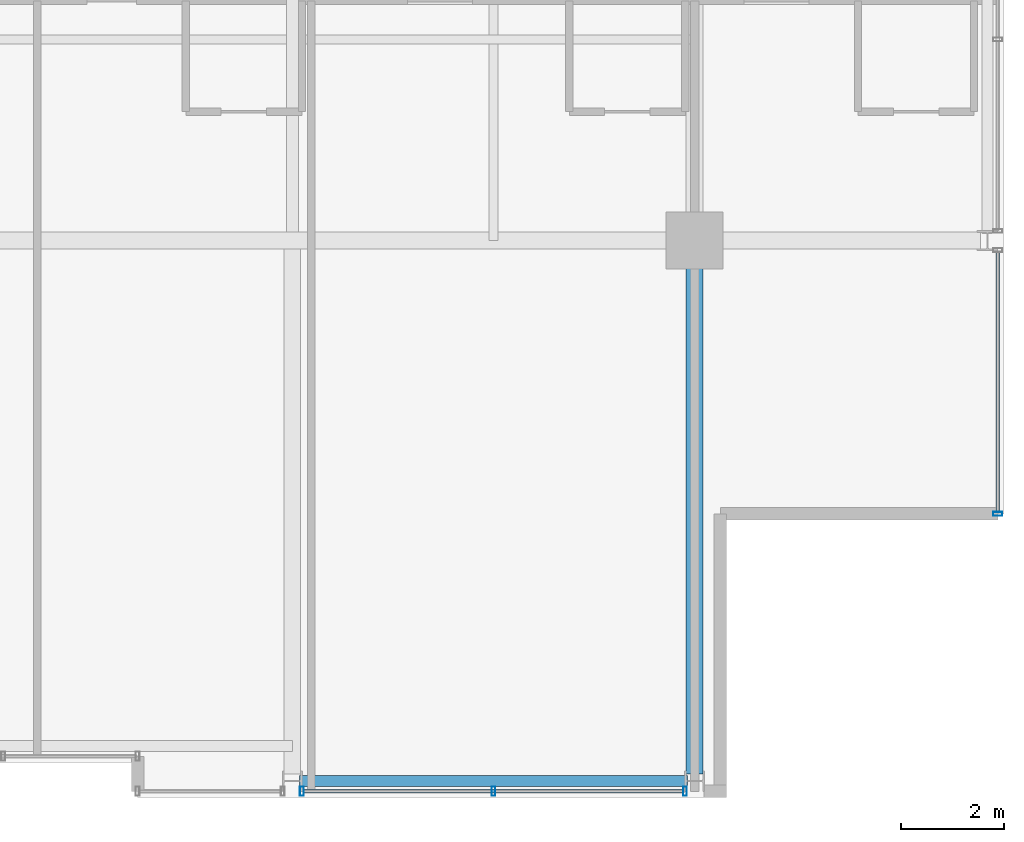
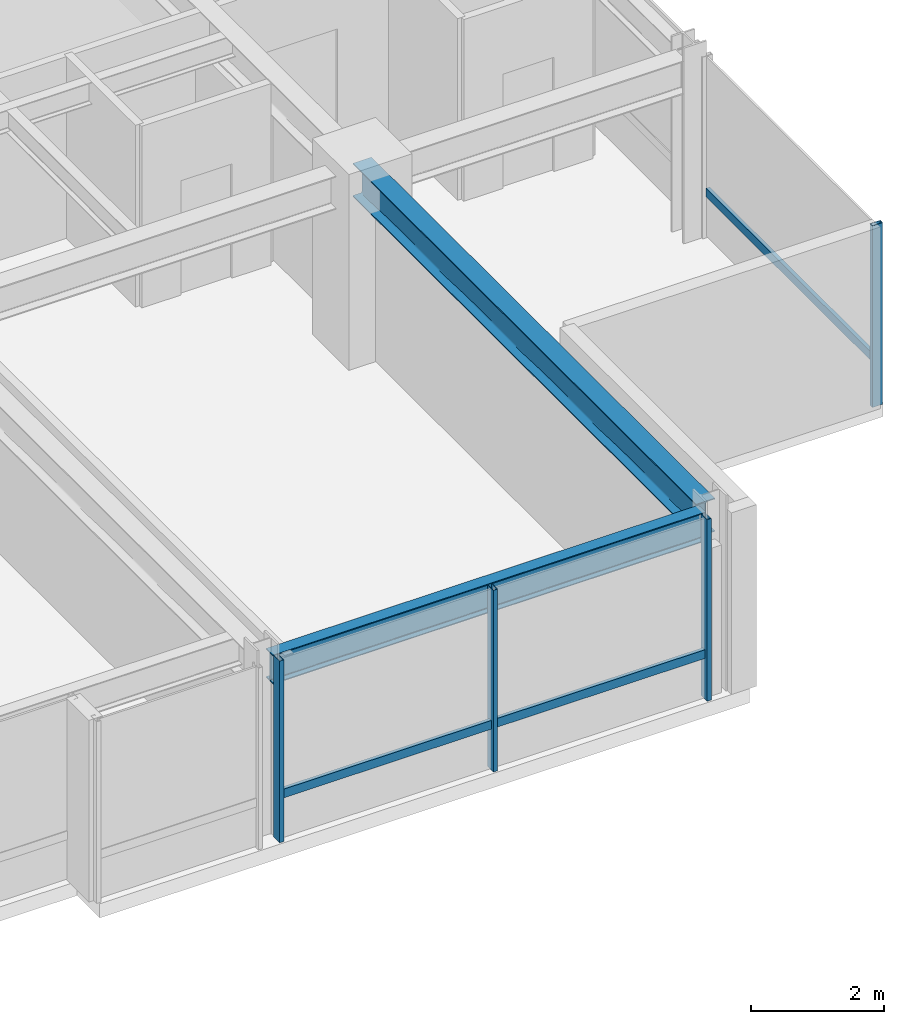
# One storey, part 12 of 31: 6 members, 2 beams, 2 elements without a shape of their own.
"""IFC4 building model written with IfcOpenShell, lengths in metres."""

from ifc_helpers import new_model, si_unit, direction, frame, origin, origin_2d, place, context, subcontext, project, spatial, hollow_rectangle, i_section, extrude, material, layer, layer_set, material_profile, profile_set, type_object, element, aggregate, save


model = new_model("IFC4")

# Units and contexts
model_context = context("Model", 3, precision=1e-05, world=origin(), true_north=direction((0.0, 1.0)))
body_context = subcontext(model_context, "Body", "Model", "MODEL_VIEW")
ifc_project = project(units=[si_unit("LENGTHUNIT", "METRE"), si_unit("AREAUNIT", "SQUARE_METRE"), si_unit("VOLUMEUNIT", "CUBIC_METRE"), si_unit("PLANEANGLEUNIT", "RADIAN"), si_unit("MASSUNIT", "GRAM", prefix="KILO")], contexts=[model_context])

# Site, building, storey
site_placement = place(None, origin())
site = spatial("IfcSite", under=ifc_project, at=site_placement, CompositionType="ELEMENT")
building_placement = place(site_placement, origin())
building = spatial("IfcBuilding", under=site, at=building_placement, Name="Drelvath Grand Hotel", CompositionType="ELEMENT")
storey_placement = place(building_placement, frame((0.0, 0.0, 230.300048828125)))
storey = spatial("IfcBuildingStorey", under=building, at=storey_placement, Name="L60", CompositionType="ELEMENT", Elevation=230.300048828125)

# Curtain wall, member
ifc_material_1 = material(Name="Platinum-Mist Anodised Aluminium Frame", Category="aluminium")
ifc_layer = layer(ifc_material_1, 0.199951171875)
ifc_layer_set = layer_set([ifc_layer], Name="Platinum-Mist Anodised Aluminium Frame")
curtain_wall_type = type_object("IfcCurtainWallType", Name="Stick Curtain Wall CW-05 Platinum Mist High-Rise", PredefinedType="NOTDEFINED", material=ifc_layer_set)
curtain_wall_1_placement = place(storey_placement, origin())
curtain_wall_1 = element("IfcCurtainWall", 1, at=curtain_wall_1_placement, inside=storey, type_object=curtain_wall_type, Name="L60 CW-05 Curtain Wall CW05-L60-ES1", PredefinedType="NOTDEFINED")
ifc_material_profile_1 = material_profile(ifc_material_1, hollow_rectangle(XDim=0.06494140625, YDim=0.159912109375, WallThickness=0.00390625, at=origin_2d()), Name="HSS160X65X4")
ifc_profile_set_1 = profile_set([ifc_material_profile_1], Name="Platinum-Mist Anodised Aluminium Frame")
member_type_1 = type_object("IfcMemberType", Name="Curtain Wall Horizontal Transom CW-05 HSS160X65X4", PredefinedType="USERDEFINED", material=ifc_profile_set_1)
member_1_placement = place(storey_placement, frame((22.080078125, 10.57470703125, 0.8349609375), z_axis=(0.0, -1.0, 0.0), x_axis=(1.0, 0.0, 0.0)))
member_1 = element("IfcMember", 2, at=member_1_placement, type_object=member_type_1, Name="CW05-L60-ES1 Sill Transom", ObjectType="TRANSOM", PredefinedType="USERDEFINED", context=body_context, shape_type="SweptSolid", body=[
    extrude(hollow_rectangle(XDim=0.06494140625, YDim=0.159912109375, WallThickness=0.00390625, at=origin_2d()), origin(), (0.0, 0.0, 1.0), 5.03466796875),
])

curtain_wall_2_placement = place(storey_placement, origin())
curtain_wall_2 = element("IfcCurtainWall", 3, at=curtain_wall_2_placement, inside=storey, type_object=curtain_wall_type, Name="L60 CW-05 Curtain Wall CW05-L60-SE2", PredefinedType="NOTDEFINED")
member_2_placement = place(storey_placement, frame((15.974609375, 0.1201171875, 0.8349609375), z_axis=(-1.0, 0.0, 0.0), x_axis=(0.0, -1.0, 0.0)))
member_2 = element("IfcMember", 4, at=member_2_placement, type_object=member_type_1, Name="CW05-L60-SE2 Sill Transom", ObjectType="TRANSOM", PredefinedType="USERDEFINED", context=body_context, shape_type="SweptSolid", body=[
    extrude(hollow_rectangle(XDim=0.06494140625, YDim=0.159912109375, WallThickness=0.00390625, at=origin_2d()), origin(), (0.0, 0.0, 1.0), 7.349365234375),
])

# Member
ifc_material_profile_2 = material_profile(ifc_material_1, hollow_rectangle(XDim=0.074951171875, YDim=0.179931640625, WallThickness=0.0048828125, at=origin_2d()), Name="HSS180X75X5")
ifc_profile_set_2 = profile_set([ifc_material_profile_2], Name="Platinum-Mist Anodised Aluminium Frame")
member_type_2 = type_object("IfcMemberType", Name="Curtain Wall Vertical Mullion CW-05 HSS180X75X5", PredefinedType="MULLION", material=ifc_profile_set_2)
member_3_placement = place(storey_placement, frame((22.080078125, 5.5, 0.0), z_axis=(0.0, 0.0, 1.0), x_axis=(0.0, 1.0, 0.0)))
member_3 = element("IfcMember", 5, at=member_3_placement, type_object=member_type_2, Name="CW05-L60-ES1 Mullion 2", PredefinedType="MULLION", context=body_context, shape_type="SweptSolid", body=[
    extrude(hollow_rectangle(XDim=0.074951171875, YDim=0.179931640625, WallThickness=0.0048828125, at=origin_2d()), origin(), (0.0, 0.0, 1.0), 3.33984375),
])

aggregate(curtain_wall_1, [member_3, member_1])

member_4_placement = place(storey_placement, frame((16.0146484375, 0.1201171875, 0.0), z_axis=(0.0, 0.0, 1.0), x_axis=(1.0, 0.0, 0.0)))
member_4 = element("IfcMember", 6, at=member_4_placement, type_object=member_type_2, Name="CW05-L60-SE2 Mullion 1", PredefinedType="MULLION", context=body_context, shape_type="SweptSolid", body=[
    extrude(hollow_rectangle(XDim=0.074951171875, YDim=0.179931640625, WallThickness=0.0048828125, at=origin_2d()), origin(), (0.0, 0.0, 1.0), 3.33984375),
])

member_5_placement = place(storey_placement, frame((12.300048828125, 0.1201171875, 0.0), z_axis=(0.0, 0.0, 1.0), x_axis=(1.0, 0.0, 0.0)))
member_5 = element("IfcMember", 7, at=member_5_placement, type_object=member_type_2, Name="CW05-L60-SE2 Mullion 2", PredefinedType="MULLION", context=body_context, shape_type="SweptSolid", body=[
    extrude(hollow_rectangle(XDim=0.074951171875, YDim=0.179931640625, WallThickness=0.0048828125, at=origin_2d()), origin(), (0.0, 0.0, 1.0), 3.33984375),
])

member_6_placement = place(storey_placement, frame((8.585205078125, 0.1201171875, 0.0), z_axis=(0.0, 0.0, 1.0), x_axis=(1.0, 0.0, 0.0)))
member_6 = element("IfcMember", 8, at=member_6_placement, type_object=member_type_2, Name="CW05-L60-SE2 Mullion 3", PredefinedType="MULLION", context=body_context, shape_type="SweptSolid", body=[
    extrude(hollow_rectangle(XDim=0.074951171875, YDim=0.179931640625, WallThickness=0.0048828125, at=origin_2d()), origin(), (0.0, 0.0, 1.0), 3.33984375),
])

aggregate(curtain_wall_2, [member_4, member_5, member_6, member_2])

# Beams
ifc_material_2 = material(Name="Steel ASTM A992 Gr 50", Category="steel")
ifc_material_profile_3 = material_profile(ifc_material_2, i_section(OverallWidth=0.210205078125, OverallDepth=0.53662109375, WebThickness=0.010986328125, FlangeThickness=0.017333984375, FilletRadius=0.01806640625, at=origin_2d()), Name="W21X68")
ifc_profile_set_3 = profile_set([ifc_material_profile_3], Name="Steel ASTM A992 Gr 50")
beam_type_1 = type_object("IfcBeamType", Name="Perimeter Spandrel Beam W21X68", PredefinedType="SPANDREL", material=ifc_profile_set_3)
beam_1_placement = place(storey_placement, frame((8.5400390625, 0.320068359375, 3.071533203125), z_axis=(1.0, 0.0, 0.0), x_axis=(0.0, 1.0, 0.0)))
element("IfcBeam", 9, at=beam_1_placement, inside=storey, type_object=beam_type_1, Name="L60 Spandrel South E", PredefinedType="SPANDREL", context=body_context, shape_type="SweptSolid", body=[
    extrude(i_section(OverallWidth=0.210205078125, OverallDepth=0.53662109375, WebThickness=0.010986328125, FlangeThickness=0.017333984375, FilletRadius=0.01806640625, at=origin_2d()), origin(), (0.0, 0.0, 1.0), 7.52001953125),
])
ifc_material_profile_4 = material_profile(ifc_material_2, i_section(OverallWidth=0.323974609375, OverallDepth=0.611083984375, WebThickness=0.0126953125, FlangeThickness=0.01904296875, FilletRadius=0.02197265625, at=origin_2d()), Name="W24X104")
ifc_profile_set_4 = profile_set([ifc_material_profile_4], Name="Steel ASTM A992 Gr 50")
beam_type_2 = type_object("IfcBeamType", Name="Primary Floor Girder W24X104", PredefinedType="BEAM", material=ifc_profile_set_4)
beam_2_placement = place(storey_placement, frame((16.199951171875, 0.4599609375, 3.034423828125), z_axis=(0.0, 1.0, 0.0), x_axis=(-1.0, 0.0, 0.0)))
element("IfcBeam", 10, at=beam_2_placement, inside=storey, type_object=beam_type_2, Name="L60 South Grid Girder 7", PredefinedType="BEAM", context=body_context, shape_type="SweptSolid", body=[
    extrude(i_section(OverallWidth=0.323974609375, OverallDepth=0.611083984375, WebThickness=0.0126953125, FlangeThickness=0.01904296875, FilletRadius=0.02197265625, at=origin_2d()), origin(), (0.0, 0.0, 1.0), 10.340087890625),
])

save(model, "model.ifc")
